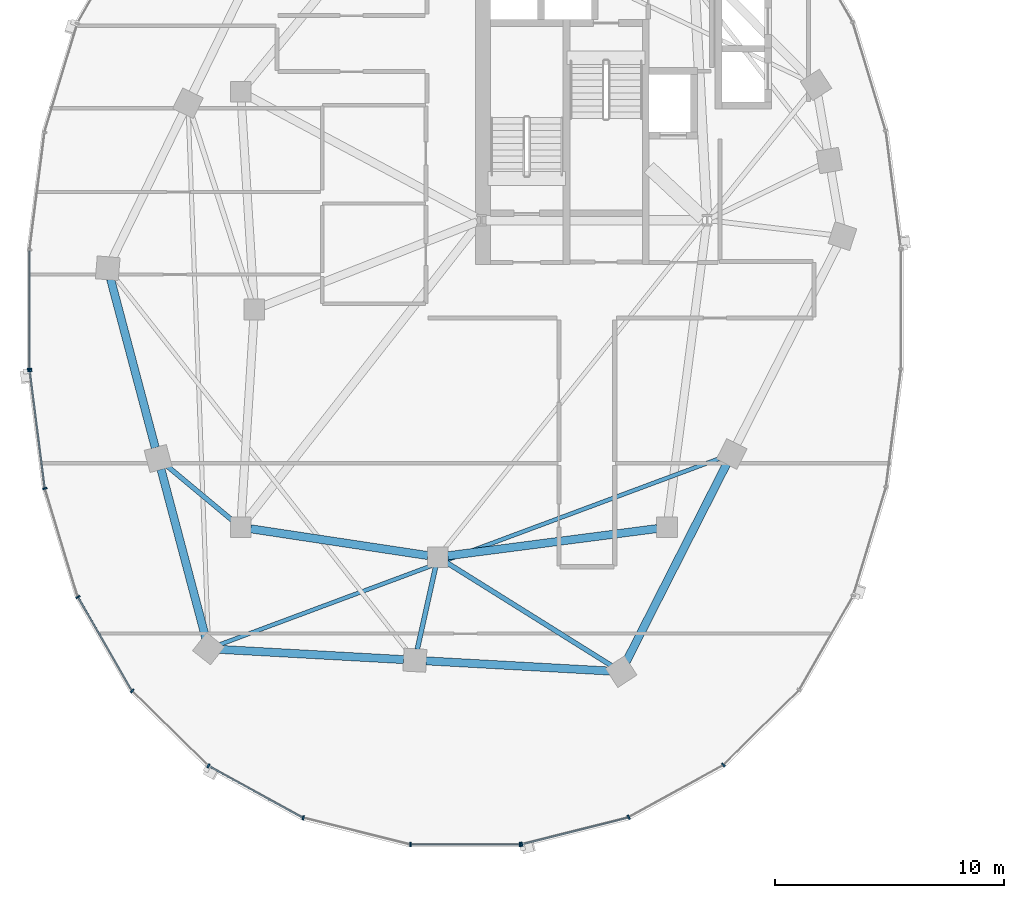
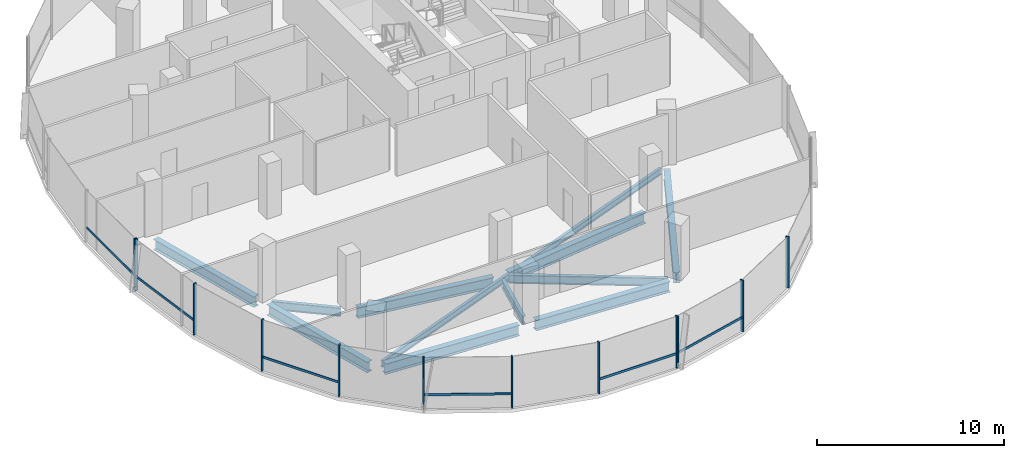
# One storey, part 2 of 23: 18 members, 11 beams, 3 elements without a shape of their own.
"""IFC4 building model written with IfcOpenShell, lengths in metres."""

from ifc_helpers import new_model, si_unit, direction, frame, origin, origin_2d, place, context, subcontext, project, spatial, rectangle, i_section, extrude, material, material_profile, profile_set, type_object, element, aggregate, save


model = new_model("IFC4")

# Units and contexts
model_context = context("Model", 3, precision=1e-05, world=origin(), true_north=direction((0.0, 1.0)))
body_context = subcontext(model_context, "Body", "Model", "MODEL_VIEW")
ifc_project = project(units=[si_unit("LENGTHUNIT", "METRE"), si_unit("AREAUNIT", "SQUARE_METRE"), si_unit("VOLUMEUNIT", "CUBIC_METRE"), si_unit("PLANEANGLEUNIT", "RADIAN"), si_unit("MASSUNIT", "GRAM", prefix="KILO"), si_unit("THERMODYNAMICTEMPERATUREUNIT", "KELVIN"), si_unit("POWERUNIT", "WATT")], contexts=[model_context])

# Site, building, storey
site_placement = place(None, origin())
site = spatial("IfcSite", under=ifc_project, at=site_placement, CompositionType="ELEMENT")
building_placement = place(site_placement, origin())
building = spatial("IfcBuilding", under=site, at=building_placement, Name="Cundina Bronze Exchange", CompositionType="ELEMENT")
storey_placement = place(building_placement, frame((0.0, 0.0, 176.39990234375)))
storey = spatial("IfcBuildingStorey", under=building, at=storey_placement, Name="L46", CompositionType="ELEMENT", Elevation=176.39990234375)

# Beams
ifc_material_1 = material(Name="Steel ASTM A992 Grade 50", Category="steel")
ifc_material_profile_1 = material_profile(ifc_material_1, i_section(OverallWidth=0.2119140625, OverallDepth=0.5439453125, WebThickness=0.01318359375, FlangeThickness=0.021240234375, FilletRadius=0.013916015625, at=origin_2d()), Name="W21X83", Category="steel")
ifc_profile_set_1 = profile_set([ifc_material_profile_1], Name="Steel ASTM A992 Grade 50")
beam_type_1 = type_object("IfcBeamType", Name="BM-FLR-W21A", PredefinedType="BEAM", material=ifc_profile_set_1)
beam_1_placement = place(storey_placement, frame((-42.136474609375, -9.219482421875, -0.511962890625), z_axis=(-0.768253211489, 0.640146079451, 0.0), x_axis=(-0.640146079451, -0.768253211489, 0.0)))
element("IfcBeam", 1, at=beam_1_placement, inside=storey, type_object=beam_type_1, Name="L46 Leg W Radial Floor Beam 09", PredefinedType="BEAM", context=body_context, shape_type="SweptSolid", body=[
    extrude(i_section(OverallWidth=0.2119140625, OverallDepth=0.5439453125, WebThickness=0.01318359375, FlangeThickness=0.021240234375, FilletRadius=0.013916015625, at=origin_2d()), origin(), (0.0, 0.0, 1.0), 3.760009765625),
])
beam_2_placement = place(storey_placement, frame((-33.294921875, -11.2275390625, -0.511962890625), z_axis=(-0.216923440287, -0.976188619609, 0.0), x_axis=(0.976188619609, -0.216923440287, 0.0)))
element("IfcBeam", 2, at=beam_2_placement, inside=storey, type_object=beam_type_1, Name="L46 Leg W Radial Floor Beam 11", PredefinedType="BEAM", context=body_context, shape_type="SweptSolid", body=[
    extrude(i_section(OverallWidth=0.2119140625, OverallDepth=0.5439453125, WebThickness=0.01318359375, FlangeThickness=0.021240234375, FilletRadius=0.013916015625, at=origin_2d()), origin(), (0.0, 0.0, 1.0), 3.68359375),
])
beam_3_placement = place(storey_placement, frame((-32.82861328125, -11.031982421875, -0.511962890625), z_axis=(0.847985407265, -0.530019574228, 0.0), x_axis=(0.530019574228, 0.847985407265, 0.0)))
element("IfcBeam", 3, at=beam_3_placement, inside=storey, type_object=beam_type_1, Name="L46 Leg W Radial Floor Beam 12", PredefinedType="BEAM", context=body_context, shape_type="SweptSolid", body=[
    extrude(i_section(OverallWidth=0.2119140625, OverallDepth=0.5439453125, WebThickness=0.01318359375, FlangeThickness=0.021240234375, FilletRadius=0.013916015625, at=origin_2d()), origin(), (0.0, 0.0, 1.0), 8.50830078125),
])
ifc_material_profile_2 = material_profile(ifc_material_1, i_section(OverallWidth=0.178955078125, OverallDepth=0.409912109375, WebThickness=0.0087890625, FlangeThickness=0.014404296875, FilletRadius=0.010986328125, at=origin_2d()), Name="W16X45", Category="steel")
ifc_profile_set_2 = profile_set([ifc_material_profile_2], Name="Steel ASTM A992 Grade 50")
beam_type_2 = type_object("IfcBeamType", Name="BM-JST-W16", PredefinedType="JOIST", material=ifc_profile_set_2)
beam_4_placement = place(storey_placement, frame((-42.74267578125, -14.629638671875, -0.44482421875), z_axis=(0.937127922351, 0.348986041483, 0.0), x_axis=(-0.348986041483, 0.937127922351, 0.0)))
element("IfcBeam", 4, at=beam_4_placement, inside=storey, type_object=beam_type_2, Name="L46 Leg W Lobe Floor Joist 10-13", PredefinedType="JOIST", context=body_context, shape_type="SweptSolid", body=[
    extrude(i_section(OverallWidth=0.178955078125, OverallDepth=0.409912109375, WebThickness=0.0087890625, FlangeThickness=0.014404296875, FilletRadius=0.010986328125, at=origin_2d()), origin(), (0.0, 0.0, 1.0), 23.38037109375),
])
ifc_material_profile_3 = material_profile(ifc_material_1, i_section(OverallWidth=0.35498046875, OverallDepth=0.695068359375, WebThickness=0.015380859375, FlangeThickness=0.02490234375, FilletRadius=0.01806640625, at=origin_2d()), Name="W27X146", Category="steel")
ifc_profile_set_3 = profile_set([ifc_material_profile_3], Name="Steel ASTM A992 Grade 50")
beam_type_3 = type_object("IfcBeamType", Name="BM-RING-W27", PredefinedType="USERDEFINED", material=ifc_profile_set_3)
beam_5_placement = place(storey_placement, frame((-41.366943359375, -9.5654296875, -0.58740234375), z_axis=(0.988764903598, -0.149478979839, 0.0), x_axis=(0.149478979839, 0.988764903598, 0.0)))
element("IfcBeam", 5, at=beam_5_placement, inside=storey, type_object=beam_type_3, Name="L46 W Inner Structural Ring Girder 05", ObjectType="GIRDER", PredefinedType="USERDEFINED", context=body_context, shape_type="SweptSolid", body=[
    extrude(i_section(OverallWidth=0.35498046875, OverallDepth=0.695068359375, WebThickness=0.015380859375, FlangeThickness=0.02490234375, FilletRadius=0.01806640625, at=origin_2d()), origin(), (0.0, 0.0, 1.0), 7.82177734375),
])
beam_6_placement = place(storey_placement, frame((-32.765625, -10.743408203125, -0.58740234375), z_axis=(0.991656498582, 0.128908451316, 0.0), x_axis=(-0.128908451316, 0.991656498582, 0.0)))
element("IfcBeam", 6, at=beam_6_placement, inside=storey, type_object=beam_type_3, Name="L46 W Inner Structural Ring Girder 06", ObjectType="GIRDER", PredefinedType="USERDEFINED", context=body_context, shape_type="SweptSolid", body=[
    extrude(i_section(OverallWidth=0.35498046875, OverallDepth=0.695068359375, WebThickness=0.015380859375, FlangeThickness=0.02490234375, FilletRadius=0.01806640625, at=origin_2d()), origin(), (0.0, 0.0, 1.0), 9.208251953125),
])
for number, where, z_axis, x_axis, name in (
    (7, (-47.47509765625, 1.328369140625, -0.58740234375), (0.256240814108, -0.966612975904, 0.0), (0.966612975904, 0.256240814108, 0.0), "L46 W Perimeter Ring Girder 08"),
    (8, (-45.27490234375, -6.9716796875, -0.58740234375), (0.256210841755, -0.96662092082, 0.0), (0.96662092082, 0.256210841755, 0.0), "L46 W Perimeter Ring Girder 09"),
):
    element("IfcBeam", number, at=place(storey_placement, frame(where, z_axis=z_axis, x_axis=x_axis)), inside=storey, type_object=beam_type_3, Name=name, ObjectType="GIRDER", PredefinedType="USERDEFINED", context=body_context, shape_type="SweptSolid", body=[
        extrude(i_section(OverallWidth=0.35498046875, OverallDepth=0.695068359375, WebThickness=0.015380859375, FlangeThickness=0.02490234375, FilletRadius=0.01806640625, at=origin_2d()), origin(), (0.0, 0.0, 1.0), 7.61083984375),
    ])
for number, where, z_axis, x_axis, name in (
    (9, (-42.712890625, -14.8271484375, -0.58740234375), (0.998460820451, -0.055461608559, 0.0), (0.055461608559, 0.998460820451, 0.0), "L46 W Perimeter Ring Girder 10"),
    (10, (-33.712890625, -15.3271484375, -0.58740234375), (0.998460820451, -0.055461608559, 0.0), (0.055461608559, 0.998460820451, 0.0), "L46 W Perimeter Ring Girder 11"),
):
    element("IfcBeam", number, at=place(storey_placement, frame(where, z_axis=z_axis, x_axis=x_axis)), inside=storey, type_object=beam_type_3, Name=name, ObjectType="GIRDER", PredefinedType="USERDEFINED", context=body_context, shape_type="SweptSolid", body=[
        extrude(i_section(OverallWidth=0.35498046875, OverallDepth=0.695068359375, WebThickness=0.015380859375, FlangeThickness=0.02490234375, FilletRadius=0.01806640625, at=origin_2d()), origin(), (0.0, 0.0, 1.0), 8.0380859375),
    ])
beam_7_placement = place(storey_placement, frame((-24.97900390625, -15.364990234375, -0.58740234375), z_axis=(0.452834585354, 0.891594548159, 0.0), x_axis=(-0.891594548159, 0.452834585354, 0.0)))
element("IfcBeam", 11, at=beam_7_placement, inside=storey, type_object=beam_type_3, Name="L46 W Perimeter Ring Girder 12", ObjectType="GIRDER", PredefinedType="USERDEFINED", context=body_context, shape_type="SweptSolid", body=[
    extrude(i_section(OverallWidth=0.35498046875, OverallDepth=0.695068359375, WebThickness=0.015380859375, FlangeThickness=0.02490234375, FilletRadius=0.01806640625, at=origin_2d()), origin(), (0.0, 0.0, 1.0), 9.67919921875),
])

# Curtain wall, member
ifc_material_2 = material(Name="Anodised Bronze Aluminium 6063-T6", Category="aluminium")
curtain_wall_type = type_object("IfcCurtainWallType", Name="CWS-WST-PIN", PredefinedType="NOTDEFINED", material=ifc_material_2)
curtain_wall_1_placement = place(storey_placement, origin())
curtain_wall_1 = element("IfcCurtainWall", 12, at=curtain_wall_1_placement, inside=storey, type_object=curtain_wall_type, Name="L46 CW-04 Curtain Wall Run CWR-L46-W2", PredefinedType="NOTDEFINED")
ifc_material_profile_4 = material_profile(ifc_material_2, rectangle(XDim=0.070068359375, YDim=0.18994140625, at=origin_2d()), Name="AL70X190", Category="aluminium")
ifc_profile_set_4 = profile_set([ifc_material_profile_4], Name="Anodised Bronze Aluminium 6063-T6")
member_type_1 = type_object("IfcMemberType", Name="CWM-MUL-190", PredefinedType="MULLION", material=ifc_profile_set_4)
member_1_placement = place(storey_placement, frame((-51.007080078125, -2.593017578125, 0.0), z_axis=(0.0, 0.0, 1.0), x_axis=(0.0, -1.0, 0.0)))
member_1 = element("IfcMember", 13, at=member_1_placement, type_object=member_type_1, Name="CW-04 End Mullion", PredefinedType="MULLION", context=body_context, shape_type="SweptSolid", body=[
    extrude(rectangle(XDim=0.070068359375, YDim=0.18994140625, at=origin_2d()), origin(), (0.0, 0.0, 1.0), 3.360107421875),
])

# Curtain wall, members
curtain_wall_2_placement = place(storey_placement, origin())
curtain_wall_2 = element("IfcCurtainWall", 14, at=curtain_wall_2_placement, inside=storey, type_object=curtain_wall_type, Name="L46 CW-04 Curtain Wall Run CWR-L46-W3", PredefinedType="NOTDEFINED")
member_2_placement = place(storey_placement, frame((-51.001708984375, -2.676025390625, 0.0), z_axis=(0.0, 0.0, 1.0), x_axis=(0.126545236492, -0.991960837494, 0.0)))
member_2 = element("IfcMember", 15, at=member_2_placement, type_object=member_type_1, Name="CW-04 Mullion 1", PredefinedType="MULLION", context=body_context, shape_type="SweptSolid", body=[
    extrude(rectangle(XDim=0.070068359375, YDim=0.18994140625, at=origin_2d()), origin(), (0.0, 0.0, 1.0), 3.360107421875),
])
member_3_placement = place(storey_placement, frame((-50.3408203125, -7.80859375, 0.0), z_axis=(0.0, 0.0, 1.0), x_axis=(0.290034140915, -0.957016299288, 0.0)))
member_3 = element("IfcMember", 16, at=member_3_placement, type_object=member_type_1, Name="CW-04 Mullion 2", PredefinedType="MULLION", context=body_context, shape_type="SweptSolid", body=[
    extrude(rectangle(XDim=0.070068359375, YDim=0.18994140625, at=origin_2d()), origin(), (0.0, 0.0, 1.0), 3.360107421875),
])
member_4_placement = place(storey_placement, frame((-48.89794921875, -12.541259765625, 0.0), z_axis=(0.0, 0.0, 1.0), x_axis=(0.498487739754, -0.866896748936, 0.0)))
member_4 = element("IfcMember", 17, at=member_4_placement, type_object=member_type_1, Name="CW-04 Mullion 3", PredefinedType="MULLION", context=body_context, shape_type="SweptSolid", body=[
    extrude(rectangle(XDim=0.070068359375, YDim=0.18994140625, at=origin_2d()), origin(), (0.0, 0.0, 1.0), 3.360107421875),
])
member_5_placement = place(storey_placement, frame((-46.530517578125, -16.640380859375, 0.0), z_axis=(0.0, 0.0, 1.0), x_axis=(0.712026045991, -0.702153052995, 0.0)))
member_5 = element("IfcMember", 18, at=member_5_placement, type_object=member_type_1, Name="CW-04 Mullion 4", PredefinedType="MULLION", context=body_context, shape_type="SweptSolid", body=[
    extrude(rectangle(XDim=0.070068359375, YDim=0.18994140625, at=origin_2d()), origin(), (0.0, 0.0, 1.0), 3.360107421875),
])
member_6_placement = place(storey_placement, frame((-43.20654296875, -19.906005859375, 0.0), z_axis=(0.0, 0.0, 1.0), x_axis=(0.875885937035, -0.482518212408, 0.0)))
member_6 = element("IfcMember", 19, at=member_6_placement, type_object=member_type_1, Name="CW-04 Mullion 5", PredefinedType="MULLION", context=body_context, shape_type="SweptSolid", body=[
    extrude(rectangle(XDim=0.070068359375, YDim=0.18994140625, at=origin_2d()), origin(), (0.0, 0.0, 1.0), 3.360107421875),
])
member_7_placement = place(storey_placement, frame((-39.067626953125, -22.17626953125, 0.0), z_axis=(0.0, 0.0, 1.0), x_axis=(0.970084240161, -0.242768546132, 0.0)))
member_7 = element("IfcMember", 20, at=member_7_placement, type_object=member_type_1, Name="CW-04 Mullion 6", PredefinedType="MULLION", context=body_context, shape_type="SweptSolid", body=[
    extrude(rectangle(XDim=0.070068359375, YDim=0.18994140625, at=origin_2d()), origin(), (0.0, 0.0, 1.0), 3.360107421875),
])
member_8_placement = place(storey_placement, frame((-34.39404296875, -23.3369140625, 0.0), z_axis=(0.0, 0.0, 1.0), x_axis=(1.0, 0.0, 0.0)))
member_8 = element("IfcMember", 21, at=member_8_placement, type_object=member_type_1, Name="CW-04 Mullion 7", PredefinedType="MULLION", context=body_context, shape_type="SweptSolid", body=[
    extrude(rectangle(XDim=0.070068359375, YDim=0.18994140625, at=origin_2d()), origin(), (0.0, 0.0, 1.0), 3.360107421875),
])
member_9_placement = place(storey_placement, frame((-29.60595703125, -23.3369140625, 0.0), z_axis=(0.0, 0.0, 1.0), x_axis=(1.0, 0.0, 0.0)))
member_9 = element("IfcMember", 22, at=member_9_placement, type_object=member_type_1, Name="CW-04 End Mullion", PredefinedType="MULLION", context=body_context, shape_type="SweptSolid", body=[
    extrude(rectangle(XDim=0.070068359375, YDim=0.18994140625, at=origin_2d()), origin(), (0.0, 0.0, 1.0), 3.360107421875),
])

curtain_wall_3_placement = place(storey_placement, origin())
curtain_wall_3 = element("IfcCurtainWall", 23, at=curtain_wall_3_placement, inside=storey, type_object=curtain_wall_type, Name="L46 CW-04 Curtain Wall Run CWR-L46-W4", PredefinedType="NOTDEFINED")
member_10_placement = place(storey_placement, frame((-29.537353515625, -23.32861328125, 0.0), z_axis=(0.0, 0.0, 1.0), x_axis=(0.970084240161, 0.242768546132, 0.0)))
member_10 = element("IfcMember", 24, at=member_10_placement, type_object=member_type_1, Name="CW-04 Mullion 1", PredefinedType="MULLION", context=body_context, shape_type="SweptSolid", body=[
    extrude(rectangle(XDim=0.070068359375, YDim=0.18994140625, at=origin_2d()), origin(), (0.0, 0.0, 1.0), 3.360107421875),
])
member_11_placement = place(storey_placement, frame((-24.86962890625, -22.151611328125, 0.0), z_axis=(0.0, 0.0, 1.0), x_axis=(0.875885937035, 0.482518212408, 0.0)))
member_11 = element("IfcMember", 25, at=member_11_placement, type_object=member_type_1, Name="CW-04 Mullion 2", PredefinedType="MULLION", context=body_context, shape_type="SweptSolid", body=[
    extrude(rectangle(XDim=0.070068359375, YDim=0.18994140625, at=origin_2d()), origin(), (0.0, 0.0, 1.0), 3.360107421875),
])
member_12_placement = place(storey_placement, frame((-20.740966796875, -19.86669921875, 0.0), z_axis=(0.0, 0.0, 1.0), x_axis=(0.712026045991, 0.702153052995, 0.0)))
member_12 = element("IfcMember", 26, at=member_12_placement, type_object=member_type_1, Name="CW-04 Mullion 3", PredefinedType="MULLION", context=body_context, shape_type="SweptSolid", body=[
    extrude(rectangle(XDim=0.070068359375, YDim=0.18994140625, at=origin_2d()), origin(), (0.0, 0.0, 1.0), 3.360107421875),
])

# Member
ifc_material_profile_5 = material_profile(ifc_material_2, rectangle(XDim=0.06494140625, YDim=0.14990234375, at=origin_2d()), Name="AL65X150", Category="aluminium")
ifc_profile_set_5 = profile_set([ifc_material_profile_5], Name="Anodised Bronze Aluminium 6063-T6")
member_type_2 = type_object("IfcMemberType", Name="CWM-TRN-150", PredefinedType="USERDEFINED", material=ifc_profile_set_5)
member_13_placement = place(storey_placement, frame((-51.007080078125, 2.554443359375, 0.920166015625), z_axis=(0.0, -1.0, 0.0), x_axis=(1.0, 0.0, 0.0)))
member_13 = element("IfcMember", 27, at=member_13_placement, type_object=member_type_2, Name="CW-04 Spandrel Transom 7", ObjectType="TRANSOM", PredefinedType="USERDEFINED", context=body_context, shape_type="SweptSolid", body=[
    extrude(rectangle(XDim=0.06494140625, YDim=0.14990234375, at=origin_2d()), origin(), (0.0, 0.0, 1.0), 5.10888671875),
])

aggregate(curtain_wall_1, [member_1, member_13])

member_14_placement = place(storey_placement, frame((-50.996826171875, -2.71435546875, 0.920166015625), z_axis=(0.12646340362, -0.991971273548, 0.0), x_axis=(0.991971273548, 0.12646340362, 0.0)))
member_14 = element("IfcMember", 28, at=member_14_placement, type_object=member_type_2, Name="CW-04 Spandrel Transom 1", ObjectType="TRANSOM", PredefinedType="USERDEFINED", context=body_context, shape_type="SweptSolid", body=[
    extrude(rectangle(XDim=0.06494140625, YDim=0.14990234375, at=origin_2d()), origin(), (0.0, 0.0, 1.0), 5.0966796875),
])

member_15_placement = place(storey_placement, frame((-48.878662109375, -12.574462890625, 0.920166015625), z_axis=(0.498479967047, -0.866901218394, 0.0), x_axis=(0.866901218394, 0.498479967047, 0.0)))
member_15 = element("IfcMember", 29, at=member_15_placement, type_object=member_type_2, Name="CW-04 Spandrel Transom 3", ObjectType="TRANSOM", PredefinedType="USERDEFINED", context=body_context, shape_type="SweptSolid", body=[
    extrude(rectangle(XDim=0.06494140625, YDim=0.14990234375, at=origin_2d()), origin(), (0.0, 0.0, 1.0), 4.66845703125),
])

member_16_placement = place(storey_placement, frame((-43.1728515625, -19.924560546875, 0.920166015625), z_axis=(0.875878981549, -0.482530838062, 0.0), x_axis=(0.482530838062, 0.875878981549, 0.0)))
member_16 = element("IfcMember", 30, at=member_16_placement, type_object=member_type_2, Name="CW-04 Spandrel Transom 5", ObjectType="TRANSOM", PredefinedType="USERDEFINED", context=body_context, shape_type="SweptSolid", body=[
    extrude(rectangle(XDim=0.06494140625, YDim=0.14990234375, at=origin_2d()), origin(), (0.0, 0.0, 1.0), 4.65380859375),
])

member_17_placement = place(storey_placement, frame((-34.35546875, -23.3369140625, 0.920166015625), z_axis=(1.0, 0.0, 0.0), x_axis=(0.0, 1.0, 0.0)))
member_17 = element("IfcMember", 31, at=member_17_placement, type_object=member_type_2, Name="CW-04 Spandrel Transom 7", ObjectType="TRANSOM", PredefinedType="USERDEFINED", context=body_context, shape_type="SweptSolid", body=[
    extrude(rectangle(XDim=0.06494140625, YDim=0.14990234375, at=origin_2d()), origin(), (0.0, 0.0, 1.0), 4.7109375),
])

aggregate(curtain_wall_2, [member_2, member_14, member_3, member_4, member_15, member_5, member_6, member_16, member_7, member_8, member_9, member_17])

member_18_placement = place(storey_placement, frame((-29.5, -23.319091796875, 0.920166015625), z_axis=(0.970100130035, 0.242705042606, 0.0), x_axis=(-0.242705042606, 0.970100130035, 0.0)))
member_18 = element("IfcMember", 32, at=member_18_placement, type_object=member_type_2, Name="CW-04 Spandrel Transom 1", ObjectType="TRANSOM", PredefinedType="USERDEFINED", context=body_context, shape_type="SweptSolid", body=[
    extrude(rectangle(XDim=0.06494140625, YDim=0.14990234375, at=origin_2d()), origin(), (0.0, 0.0, 1.0), 4.746826171875),
])

aggregate(curtain_wall_3, [member_10, member_18, member_11, member_12])

save(model, "model.ifc")
